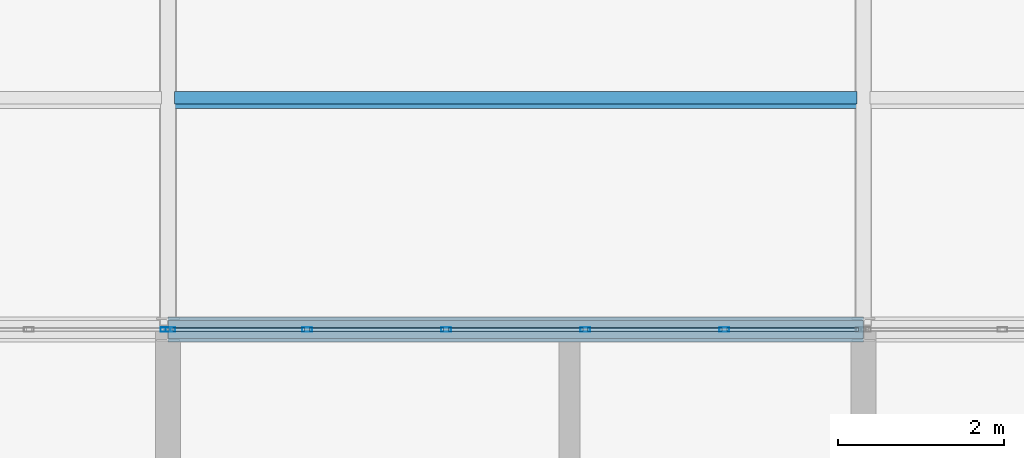
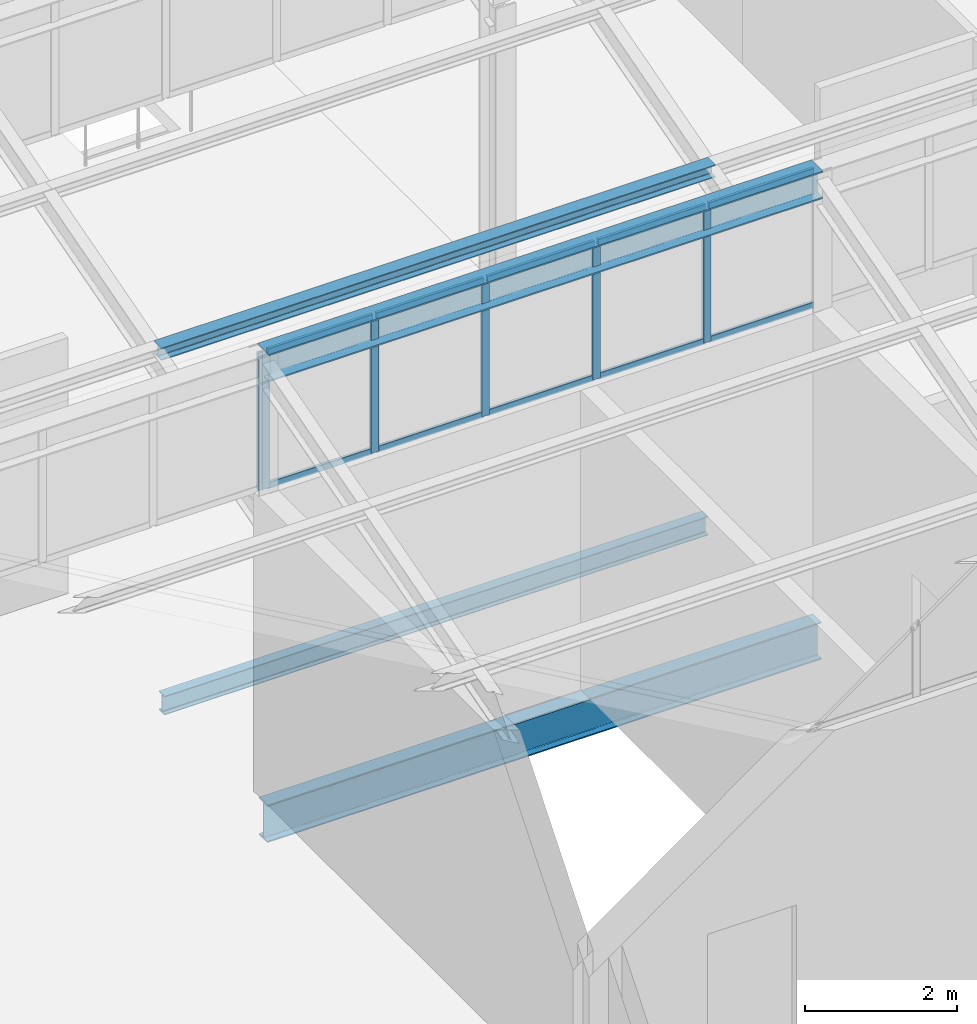
# One storey, part 16 of 53: 17 members, 3 beams, 2 elements without a shape of their own.
"""IFC4 building model written with IfcOpenShell, lengths in metres."""

from ifc_helpers import new_model, si_unit, direction, frame, origin, origin_2d, place, context, subcontext, project, spatial, hollow_rectangle, i_section, extrude, material, layer, layer_set, material_profile, profile_set, type_object, element, aggregate, save


model = new_model("IFC4")

# Units and contexts
model_context = context("Model", 3, precision=1e-05, world=origin(), true_north=direction((0.0, 1.0)))
body_context = subcontext(model_context, "Body", "Model", "MODEL_VIEW")
ifc_project = project(units=[si_unit("LENGTHUNIT", "METRE"), si_unit("AREAUNIT", "SQUARE_METRE"), si_unit("VOLUMEUNIT", "CUBIC_METRE"), si_unit("PLANEANGLEUNIT", "RADIAN"), si_unit("MASSUNIT", "GRAM", prefix="KILO")], contexts=[model_context])

# Site, building, storey
site_placement = place(None, origin())
site = spatial("IfcSite", under=ifc_project, at=site_placement, CompositionType="ELEMENT")
building_placement = place(site_placement, origin())
building = spatial("IfcBuilding", under=site, at=building_placement, Name="Qalvenar Corner Mobility Hub", CompositionType="ELEMENT")
storey_placement = place(building_placement, frame((0.0, 0.0, 26.39990234375)))
storey = spatial("IfcBuildingStorey", under=building, at=storey_placement, Name="L06", CompositionType="ELEMENT", Elevation=26.39990234375)

# Beams
ifc_material_1 = material(Name="Steel S355", Category="steel")
ifc_material_profile_1 = material_profile(ifc_material_1, i_section(OverallWidth=0.300048828125, OverallDepth=0.43994140625, WebThickness=0.011474609375, FlangeThickness=0.02099609375, FilletRadius=0.027099609375, at=origin_2d()), Name="HEA450")
ifc_profile_set_1 = profile_set([ifc_material_profile_1], Name="Steel S355")
beam_type_1 = type_object("IfcBeamType", Name="BM-HEA450", PredefinedType="BEAM", material=ifc_profile_set_1)
beam_1_placement = place(storey_placement, frame((8.39990234375, 16.800048828125, 6.81005859375), z_axis=(1.0, 0.0, 0.0), x_axis=(0.0, 1.0, 0.0)))
element("IfcBeam", 1, at=beam_1_placement, inside=storey, type_object=beam_type_1, Name="Sawtooth Ridge Girder V3RDG-2-2", PredefinedType="BEAM", context=body_context, shape_type="SweptSolid", body=[
    extrude(i_section(OverallWidth=0.300048828125, OverallDepth=0.43994140625, WebThickness=0.011474609375, FlangeThickness=0.02099609375, FilletRadius=0.027099609375, at=origin_2d()), origin(), (0.0, 0.0, 1.0), 8.400146484375),
])
ifc_material_profile_2 = material_profile(ifc_material_1, i_section(OverallWidth=0.219970703125, OverallDepth=0.60009765625, WebThickness=0.011962890625, FlangeThickness=0.01904296875, FilletRadius=0.02392578125, at=origin_2d()), Name="IPE600")
ifc_profile_set_2 = profile_set([ifc_material_profile_2], Name="Steel S355")
beam_type_2 = type_object("IfcBeamType", Name="BM-IPE600", PredefinedType="BEAM", material=ifc_profile_set_2)
beam_2_placement = place(storey_placement, frame((8.39990234375, 16.800048828125, -0.52001953125), z_axis=(1.0, 0.0, 0.0), x_axis=(0.0, 1.0, 0.0)))
element("IfcBeam", 2, at=beam_2_placement, inside=storey, type_object=beam_type_2, Name="Primary Steel Girder GX-3063", PredefinedType="BEAM", context=body_context, shape_type="SweptSolid", body=[
    extrude(i_section(OverallWidth=0.219970703125, OverallDepth=0.60009765625, WebThickness=0.011962890625, FlangeThickness=0.01904296875, FilletRadius=0.02392578125, at=origin_2d()), origin(), (0.0, 0.0, 1.0), 8.400146484375),
])
ifc_material_profile_3 = material_profile(ifc_material_1, i_section(OverallWidth=0.14990234375, OverallDepth=0.300048828125, WebThickness=0.007080078125, FlangeThickness=0.0107421875, FilletRadius=0.014892578125, at=origin_2d()), Name="IPE300")
ifc_profile_set_3 = profile_set([ifc_material_profile_3], Name="Steel S355")
beam_type_3 = type_object("IfcBeamType", Name="BM-JST300", PredefinedType="JOIST", material=ifc_profile_set_3)
beam_3_placement = place(storey_placement, frame((8.47802734375, 19.60009765625, -0.369873046875), z_axis=(1.0, 0.0, 0.0), x_axis=(0.0, 1.0, 0.0)))
element("IfcBeam", 3, at=beam_3_placement, inside=storey, type_object=beam_type_3, Name="Composite Floor Joist J-3112", PredefinedType="JOIST", context=body_context, shape_type="SweptSolid", body=[
    extrude(i_section(OverallWidth=0.14990234375, OverallDepth=0.300048828125, WebThickness=0.007080078125, FlangeThickness=0.0107421875, FilletRadius=0.014892578125, at=origin_2d()), origin(), (0.0, 0.0, 1.0), 8.243896484375),
])

# Curtain wall, member
ifc_material_2 = material(Name="Anodised Aluminium and Low-E Glazing", Category="aluminium")
ifc_layer = layer(ifc_material_2, 0.1201171875)
ifc_layer_set = layer_set([ifc_layer], Name="Anodised Aluminium and Low-E Glazing")
curtain_wall_type = type_object("IfcCurtainWallType", Name="CW-CLR-84X24", PredefinedType="NOTDEFINED", material=ifc_layer_set)
curtain_wall_1_placement = place(storey_placement, origin())
curtain_wall_1 = element("IfcCurtainWall", 4, at=curtain_wall_1_placement, inside=storey, type_object=curtain_wall_type, Name="Glazed Curtain Wall CW-V3-SAW-2-0", PredefinedType="NOTDEFINED")
ifc_material_3 = material(Name="Anodised Aluminium 6063-T6", Category="aluminium")
ifc_material_profile_4 = material_profile(ifc_material_3, hollow_rectangle(XDim=0.054931640625, YDim=0.1201171875, WallThickness=0.00341796875, InnerFilletRadius=0.00341796875, OuterFilletRadius=0.007080078125, at=origin_2d()), Name="RHS120x55x3.5")
ifc_profile_set_4 = profile_set([ifc_material_profile_4], Name="Anodised Aluminium 6063-T6")
member_type_1 = type_object("IfcMemberType", Name="CW-MUL120", PredefinedType="MULLION", material=ifc_profile_set_4)
member_1_placement = place(storey_placement, frame((8.3701171875, 16.800048828125, 4.800048828125), z_axis=(0.0, 0.0, 1.0), x_axis=(0.0, -1.0, 0.0)))
member_1 = element("IfcMember", 5, at=member_1_placement, type_object=member_type_1, Name="CW-12 mullion 1", PredefinedType="MULLION", context=body_context, shape_type="SweptSolid", body=[
    extrude(hollow_rectangle(XDim=0.054931640625, YDim=0.1201171875, WallThickness=0.00341796875, InnerFilletRadius=0.00341796875, OuterFilletRadius=0.007080078125, at=origin_2d()), origin(), (0.0, 0.0, 1.0), 2.199951171875),
])
aggregate(curtain_wall_1, [member_1])

# Curtain wall, members
curtain_wall_2_placement = place(storey_placement, origin())
curtain_wall_2 = element("IfcCurtainWall", 6, at=curtain_wall_2_placement, inside=storey, type_object=curtain_wall_type, Name="Glazed Curtain Wall CW-V3-SAW-2-1", PredefinedType="NOTDEFINED")
member_2_placement = place(storey_placement, frame((15.1201171875, 16.800048828125, 4.800048828125), z_axis=(0.0, 0.0, 1.0), x_axis=(0.0, -1.0, 0.0)))
member_2 = element("IfcMember", 7, at=member_2_placement, type_object=member_type_1, Name="CW-12 mullion 2", PredefinedType="MULLION", context=body_context, shape_type="SweptSolid", body=[
    extrude(hollow_rectangle(XDim=0.054931640625, YDim=0.1201171875, WallThickness=0.00341796875, InnerFilletRadius=0.00341796875, OuterFilletRadius=0.007080078125, at=origin_2d()), origin(), (0.0, 0.0, 1.0), 2.199951171875),
])
member_3_placement = place(storey_placement, frame((13.43994140625, 16.800048828125, 4.800048828125), z_axis=(0.0, 0.0, 1.0), x_axis=(0.0, -1.0, 0.0)))
member_3 = element("IfcMember", 8, at=member_3_placement, type_object=member_type_1, Name="CW-12 mullion 3", PredefinedType="MULLION", context=body_context, shape_type="SweptSolid", body=[
    extrude(hollow_rectangle(XDim=0.054931640625, YDim=0.1201171875, WallThickness=0.00341796875, InnerFilletRadius=0.00341796875, OuterFilletRadius=0.007080078125, at=origin_2d()), origin(), (0.0, 0.0, 1.0), 2.199951171875),
])
member_4_placement = place(storey_placement, frame((11.760009765625, 16.800048828125, 4.800048828125), z_axis=(0.0, 0.0, 1.0), x_axis=(0.0, -1.0, 0.0)))
member_4 = element("IfcMember", 9, at=member_4_placement, type_object=member_type_1, Name="CW-12 mullion 4", PredefinedType="MULLION", context=body_context, shape_type="SweptSolid", body=[
    extrude(hollow_rectangle(XDim=0.054931640625, YDim=0.1201171875, WallThickness=0.00341796875, InnerFilletRadius=0.00341796875, OuterFilletRadius=0.007080078125, at=origin_2d()), origin(), (0.0, 0.0, 1.0), 2.199951171875),
])
member_5_placement = place(storey_placement, frame((10.080078125, 16.800048828125, 4.800048828125), z_axis=(0.0, 0.0, 1.0), x_axis=(0.0, -1.0, 0.0)))
member_5 = element("IfcMember", 10, at=member_5_placement, type_object=member_type_1, Name="CW-12 mullion 5", PredefinedType="MULLION", context=body_context, shape_type="SweptSolid", body=[
    extrude(hollow_rectangle(XDim=0.054931640625, YDim=0.1201171875, WallThickness=0.00341796875, InnerFilletRadius=0.00341796875, OuterFilletRadius=0.007080078125, at=origin_2d()), origin(), (0.0, 0.0, 1.0), 2.199951171875),
])
member_6_placement = place(storey_placement, frame((8.429931640625, 16.800048828125, 4.800048828125), z_axis=(0.0, 0.0, 1.0), x_axis=(0.0, -1.0, 0.0)))
member_6 = element("IfcMember", 11, at=member_6_placement, type_object=member_type_1, Name="CW-12 mullion 6", PredefinedType="MULLION", context=body_context, shape_type="SweptSolid", body=[
    extrude(hollow_rectangle(XDim=0.054931640625, YDim=0.1201171875, WallThickness=0.00341796875, InnerFilletRadius=0.00341796875, OuterFilletRadius=0.007080078125, at=origin_2d()), origin(), (0.0, 0.0, 1.0), 2.199951171875),
])
ifc_material_profile_5 = material_profile(ifc_material_3, hollow_rectangle(XDim=0.050048828125, YDim=0.10009765625, WallThickness=0.0029296875, InnerFilletRadius=0.0029296875, OuterFilletRadius=0.006103515625, at=origin_2d()), Name="RHS100x50x3")
ifc_profile_set_5 = profile_set([ifc_material_profile_5], Name="Anodised Aluminium 6063-T6")
member_type_2 = type_object("IfcMemberType", Name="CW-TRN100", PredefinedType="USERDEFINED", material=ifc_profile_set_5)
member_7_placement = place(storey_placement, frame((16.739990234375, 16.800048828125, 4.82763671875), z_axis=(-1.0, 0.0, 0.0), x_axis=(0.0, -1.0, 0.0)))
member_7 = element("IfcMember", 12, at=member_7_placement, type_object=member_type_2, Name="CW-12 transom 1.1", ObjectType="TRANSOM", PredefinedType="USERDEFINED", context=body_context, shape_type="SweptSolid", body=[
    extrude(hollow_rectangle(XDim=0.050048828125, YDim=0.10009765625, WallThickness=0.0029296875, InnerFilletRadius=0.0029296875, OuterFilletRadius=0.006103515625, at=origin_2d()), origin(), (0.0, 0.0, 1.0), 1.590087890625),
])
member_8_placement = place(storey_placement, frame((16.739990234375, 16.800048828125, 6.97265625), z_axis=(-1.0, 0.0, 0.0), x_axis=(0.0, -1.0, 0.0)))
member_8 = element("IfcMember", 13, at=member_8_placement, type_object=member_type_2, Name="CW-12 transom 1.2", ObjectType="TRANSOM", PredefinedType="USERDEFINED", context=body_context, shape_type="SweptSolid", body=[
    extrude(hollow_rectangle(XDim=0.050048828125, YDim=0.10009765625, WallThickness=0.0029296875, InnerFilletRadius=0.0029296875, OuterFilletRadius=0.006103515625, at=origin_2d()), origin(), (0.0, 0.0, 1.0), 1.590087890625),
])
member_9_placement = place(storey_placement, frame((15.090087890625, 16.800048828125, 4.82763671875), z_axis=(-1.0, 0.0, 0.0), x_axis=(0.0, -1.0, 0.0)))
member_9 = element("IfcMember", 14, at=member_9_placement, type_object=member_type_2, Name="CW-12 transom 2.1", ObjectType="TRANSOM", PredefinedType="USERDEFINED", context=body_context, shape_type="SweptSolid", body=[
    extrude(hollow_rectangle(XDim=0.050048828125, YDim=0.10009765625, WallThickness=0.0029296875, InnerFilletRadius=0.0029296875, OuterFilletRadius=0.006103515625, at=origin_2d()), origin(), (0.0, 0.0, 1.0), 1.6201171875),
])
member_10_placement = place(storey_placement, frame((15.090087890625, 16.800048828125, 6.97265625), z_axis=(-1.0, 0.0, 0.0), x_axis=(0.0, -1.0, 0.0)))
member_10 = element("IfcMember", 15, at=member_10_placement, type_object=member_type_2, Name="CW-12 transom 2.2", ObjectType="TRANSOM", PredefinedType="USERDEFINED", context=body_context, shape_type="SweptSolid", body=[
    extrude(hollow_rectangle(XDim=0.050048828125, YDim=0.10009765625, WallThickness=0.0029296875, InnerFilletRadius=0.0029296875, OuterFilletRadius=0.006103515625, at=origin_2d()), origin(), (0.0, 0.0, 1.0), 1.6201171875),
])
member_11_placement = place(storey_placement, frame((13.409912109375, 16.800048828125, 4.82763671875), z_axis=(-1.0, 0.0, 0.0), x_axis=(0.0, -1.0, 0.0)))
member_11 = element("IfcMember", 16, at=member_11_placement, type_object=member_type_2, Name="CW-12 transom 3.1", ObjectType="TRANSOM", PredefinedType="USERDEFINED", context=body_context, shape_type="SweptSolid", body=[
    extrude(hollow_rectangle(XDim=0.050048828125, YDim=0.10009765625, WallThickness=0.0029296875, InnerFilletRadius=0.0029296875, OuterFilletRadius=0.006103515625, at=origin_2d()), origin(), (0.0, 0.0, 1.0), 1.619873046875),
])
member_12_placement = place(storey_placement, frame((13.409912109375, 16.800048828125, 6.97265625), z_axis=(-1.0, 0.0, 0.0), x_axis=(0.0, -1.0, 0.0)))
member_12 = element("IfcMember", 17, at=member_12_placement, type_object=member_type_2, Name="CW-12 transom 3.2", ObjectType="TRANSOM", PredefinedType="USERDEFINED", context=body_context, shape_type="SweptSolid", body=[
    extrude(hollow_rectangle(XDim=0.050048828125, YDim=0.10009765625, WallThickness=0.0029296875, InnerFilletRadius=0.0029296875, OuterFilletRadius=0.006103515625, at=origin_2d()), origin(), (0.0, 0.0, 1.0), 1.619873046875),
])
member_13_placement = place(storey_placement, frame((11.72998046875, 16.800048828125, 4.82763671875), z_axis=(-1.0, 0.0, 0.0), x_axis=(0.0, -1.0, 0.0)))
member_13 = element("IfcMember", 18, at=member_13_placement, type_object=member_type_2, Name="CW-12 transom 4.1", ObjectType="TRANSOM", PredefinedType="USERDEFINED", context=body_context, shape_type="SweptSolid", body=[
    extrude(hollow_rectangle(XDim=0.050048828125, YDim=0.10009765625, WallThickness=0.0029296875, InnerFilletRadius=0.0029296875, OuterFilletRadius=0.006103515625, at=origin_2d()), origin(), (0.0, 0.0, 1.0), 1.619873046875),
])
member_14_placement = place(storey_placement, frame((11.72998046875, 16.800048828125, 6.97265625), z_axis=(-1.0, 0.0, 0.0), x_axis=(0.0, -1.0, 0.0)))
member_14 = element("IfcMember", 19, at=member_14_placement, type_object=member_type_2, Name="CW-12 transom 4.2", ObjectType="TRANSOM", PredefinedType="USERDEFINED", context=body_context, shape_type="SweptSolid", body=[
    extrude(hollow_rectangle(XDim=0.050048828125, YDim=0.10009765625, WallThickness=0.0029296875, InnerFilletRadius=0.0029296875, OuterFilletRadius=0.006103515625, at=origin_2d()), origin(), (0.0, 0.0, 1.0), 1.619873046875),
])
member_15_placement = place(storey_placement, frame((10.050048828125, 16.800048828125, 4.82763671875), z_axis=(-1.0, 0.0, 0.0), x_axis=(0.0, -1.0, 0.0)))
member_15 = element("IfcMember", 20, at=member_15_placement, type_object=member_type_2, Name="CW-12 transom 5.1", ObjectType="TRANSOM", PredefinedType="USERDEFINED", context=body_context, shape_type="SweptSolid", body=[
    extrude(hollow_rectangle(XDim=0.050048828125, YDim=0.10009765625, WallThickness=0.0029296875, InnerFilletRadius=0.0029296875, OuterFilletRadius=0.006103515625, at=origin_2d()), origin(), (0.0, 0.0, 1.0), 1.590087890625),
])
member_16_placement = place(storey_placement, frame((10.050048828125, 16.800048828125, 6.97265625), z_axis=(-1.0, 0.0, 0.0), x_axis=(0.0, -1.0, 0.0)))
member_16 = element("IfcMember", 21, at=member_16_placement, type_object=member_type_2, Name="CW-12 transom 5.2", ObjectType="TRANSOM", PredefinedType="USERDEFINED", context=body_context, shape_type="SweptSolid", body=[
    extrude(hollow_rectangle(XDim=0.050048828125, YDim=0.10009765625, WallThickness=0.0029296875, InnerFilletRadius=0.0029296875, OuterFilletRadius=0.006103515625, at=origin_2d()), origin(), (0.0, 0.0, 1.0), 1.590087890625),
])
aggregate(curtain_wall_2, [member_2, member_3, member_4, member_5, member_6, member_7, member_8, member_9, member_10, member_11, member_12, member_13, member_14, member_15, member_16])

# Member
ifc_material_profile_6 = material_profile(ifc_material_1, i_section(OverallWidth=0.199951171875, OverallDepth=0.199951171875, WebThickness=0.009033203125, FlangeThickness=0.014892578125, FilletRadius=0.01806640625, at=origin_2d()), Name="HEB200")
ifc_profile_set_6 = profile_set([ifc_material_profile_6], Name="Steel S355")
member_type_3 = type_object("IfcMemberType", Name="PR-RHS200", PredefinedType="PURLIN", material=ifc_profile_set_6)
member_17_placement = place(storey_placement, frame((8.39990234375, 19.572021484375, 5.322021484375), z_axis=(1.0, 0.0, 0.0), x_axis=(0.0, 1.0, 0.0)))
element("IfcMember", 22, at=member_17_placement, inside=storey, type_object=member_type_3, Name="Sawtooth Roof Purlin PR-V3-3-2-33", PredefinedType="PURLIN", context=body_context, shape_type="SweptSolid", body=[
    extrude(i_section(OverallWidth=0.199951171875, OverallDepth=0.199951171875, WebThickness=0.009033203125, FlangeThickness=0.014892578125, FilletRadius=0.01806640625, at=origin_2d()), origin(), (0.0, 0.0, 1.0), 8.400146484375),
])

save(model, "model.ifc")
